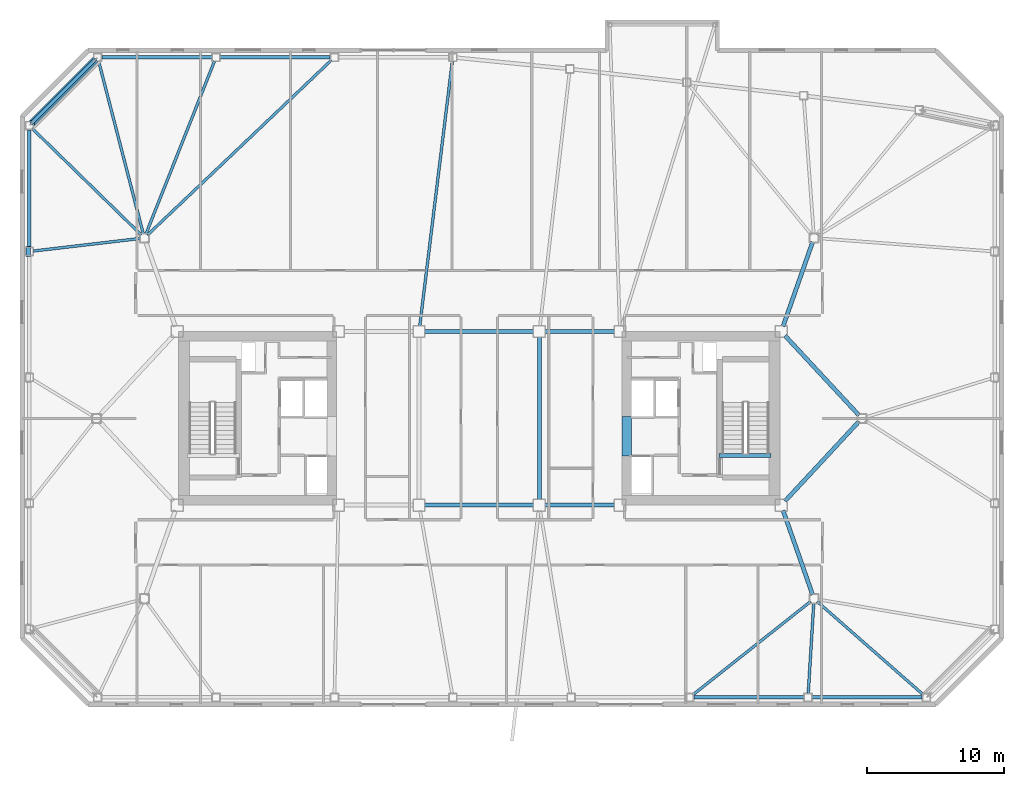
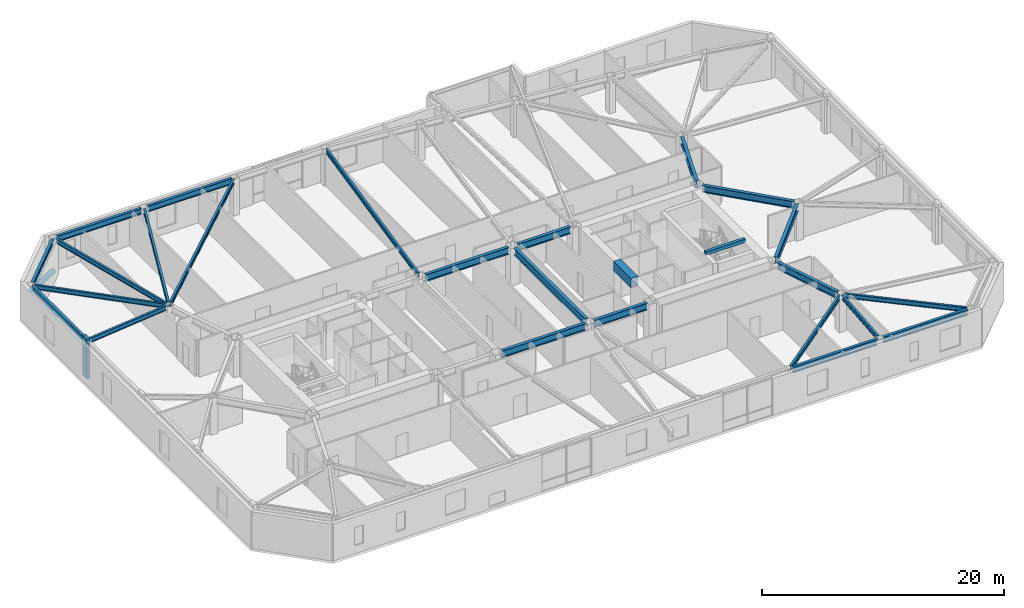
# One storey, part 7 of 18: 26 beams, 2 members.
"""IFC4 building model written with IfcOpenShell, lengths in metres."""

import ifcopenshell
import ifcopenshell.guid

model = None  # the IFC model being written
_history = None  # IfcOwnerHistory: only IFC2X3 demands one
_inside = {}  # id of a spatial element -> (the spatial element, [elements in it])
_under = {}  # id of a project, library or spatial element -> (it, [spatial elements below it])
_declared = {}  # id of a project -> (the project, [libraries it declares])
_typed = {}  # id of a type object -> (the type object, [elements of that type])
_made_of = {}  # id of a material, layer set ... -> (it, [elements and type objects made of it])


def new_model(schema):
    """Start an empty IFC model of exactly this schema.

    Asked for "IFC4X3", IfcOpenShell would pick the latest addendum, in which some entities
    have other attributes; the version numbers below select the first issue.
    IFC2X3 requires an IfcOwnerHistory on every rooted entity: one is made here for all.
    """
    global model, _history
    if schema == "IFC4X3":
        model = ifcopenshell.file(schema_version=(4, 3, 0, 0))
    else:
        model = ifcopenshell.file(schema=schema)
    _inside.clear()
    _under.clear()
    _declared.clear()
    _typed.clear()
    _made_of.clear()
    _history = None
    if model.schema == "IFC2X3":
        org = make("IfcOrganization", Name="unknown")
        user = make(
            "IfcPersonAndOrganization",
            ThePerson=make("IfcPerson", FamilyName="unknown"),
            TheOrganization=org,
        )
        app = make(
            "IfcApplication",
            ApplicationDeveloper=org,
            Version="unknown",
            ApplicationFullName="unknown",
            ApplicationIdentifier="unknown",
        )
        _history = make(
            "IfcOwnerHistory",
            OwningUser=user,
            OwningApplication=app,
            ChangeAction="ADDED",
            CreationDate=0,
        )
    return model


def make(cls, **values):
    """One entity of the class cls with the attributes given. An attribute that is None is left unset."""
    return model.create_entity(
        cls, **{name: value for name, value in values.items() if value is not None}
    )


def rooted(cls, **values):
    """An entity with a GlobalId (a new one), such as an element, a storey or a relation."""
    return make(cls, GlobalId=ifcopenshell.guid.new(), OwnerHistory=_history, **values)


def si_unit(unit_type, name, prefix=None):
    """IfcSIUnit, for example si_unit("LENGTHUNIT", "METRE", prefix="MILLI")."""
    return make("IfcSIUnit", UnitType=unit_type, Prefix=prefix, Name=name)


def assignment(units):
    """IfcUnitAssignment: the units of a project."""
    return None if units is None else make("IfcUnitAssignment", Units=units)


def point(xyz):
    """IfcCartesianPoint."""
    return None if xyz is None else make("IfcCartesianPoint", Coordinates=xyz)


def direction(xyz):
    """IfcDirection."""
    return None if xyz is None else make("IfcDirection", DirectionRatios=xyz)


def frame(location, z_axis=None, x_axis=None):
    """IfcAxis2Placement3D, a coordinate frame: its origin and axes. An axis left out is left unset."""
    return make(
        "IfcAxis2Placement3D",
        Location=point(location),
        Axis=direction(z_axis),
        RefDirection=direction(x_axis),
    )


def frame_2d(location, x_axis=None):
    """IfcAxis2Placement2D, a coordinate frame in the plane: its origin and x axis."""
    return make(
        "IfcAxis2Placement2D", Location=point(location), RefDirection=direction(x_axis)
    )


def origin():
    """The frame at (0, 0, 0) with its axes left unset."""
    return frame((0.0, 0.0, 0.0))


def origin_2d():
    """The frame at (0, 0) in the plane with its x axis left unset."""
    return frame_2d((0.0, 0.0))


def place(relative_to, where):
    """IfcLocalPlacement: puts the frame where relative to a parent placement (None: the world)."""
    return make(
        "IfcLocalPlacement", PlacementRelTo=relative_to, RelativePlacement=where
    )


def context(
    kind, dimensions, precision=None, world=None, true_north=None, identifier=None
):
    """IfcGeometricRepresentationContext, for example the 3D "Model" context."""
    return make(
        "IfcGeometricRepresentationContext",
        ContextIdentifier=identifier,
        ContextType=kind,
        CoordinateSpaceDimension=dimensions,
        Precision=precision,
        WorldCoordinateSystem=world,
        TrueNorth=true_north,
    )


def subcontext(parent, identifier, kind, view, scale=None):
    """IfcGeometricRepresentationSubContext, for example "Body" below "Model"."""
    return make(
        "IfcGeometricRepresentationSubContext",
        ContextIdentifier=identifier,
        ContextType=kind,
        ParentContext=parent,
        TargetScale=scale,
        TargetView=view,
    )


def project(units=None, contexts=None):
    """IfcProject with its units and contexts."""
    return rooted(
        "IfcProject",
        Name="project",
        RepresentationContexts=contexts,
        UnitsInContext=assignment(units),
    )


def spatial(cls, under=None, at=None, **own):
    """A site, building, storey or space (cls), placed at a placement, below another one or the project."""
    s = rooted(cls, ObjectPlacement=at, **own)
    if under is not None:
        _under.setdefault(under.id(), (under, []))[1].append(s)
    return s


def profile(cls, at=None, kind="AREA", **sizes):
    """A parametric profile (cls). Its sizes go by their IFC names, for example OverallWidth=200.0."""
    return make(cls, ProfileType=kind, Position=at, **sizes)


def rectangle(**sizes):
    """IfcRectangleProfileDef."""
    return profile("IfcRectangleProfileDef", **sizes)


def hollow_circle(**sizes):
    """IfcCircleHollowProfileDef."""
    return profile("IfcCircleHollowProfileDef", **sizes)


def i_section(**sizes):
    """IfcIShapeProfileDef."""
    return profile("IfcIShapeProfileDef", **sizes)


def extrude(swept, where, along, depth):
    """IfcExtrudedAreaSolid: the profile swept, set in the frame where, extruded along a direction by depth."""
    return make(
        "IfcExtrudedAreaSolid",
        SweptArea=swept,
        Position=where,
        ExtrudedDirection=direction(along),
        Depth=depth,
    )


def shape(context_of_items, identifier, shape_type, items):
    """IfcShapeRepresentation: the items that make up one representation, for example the "Body"."""
    return make(
        "IfcShapeRepresentation",
        ContextOfItems=context_of_items,
        RepresentationIdentifier=identifier,
        RepresentationType=shape_type,
        Items=items,
    )


def material(Name=None, Category=None):
    """IfcMaterial."""
    return make("IfcMaterial", Name=Name, Category=Category)


def material_profile(
    of_material, cross_section, Name=None, Category=None, Priority=None
):
    """IfcMaterialProfile: a cross section and its material."""
    return make(
        "IfcMaterialProfile",
        Name=Name,
        Material=of_material,
        Profile=cross_section,
        Priority=Priority,
        Category=Category,
    )


def profile_set(profiles, Name=None, composite=None):
    """IfcMaterialProfileSet."""
    return make(
        "IfcMaterialProfileSet",
        Name=Name,
        MaterialProfiles=profiles,
        CompositeProfile=composite,
    )


def made_of(thing, what):
    """Note that an element or type object is made of a material, layer set ...; save() writes the relation."""
    if what is not None:
        _made_of.setdefault(what.id(), (what, []))[1].append(thing)
    return thing


def type_object(cls, material=None, **own):
    """A type object (cls), such as IfcWallType, which elements share."""
    return made_of(rooted(cls, **own), material)


def element(
    cls,
    number,
    at=None,
    inside=None,
    cuts=None,
    type_object=None,
    material=None,
    context=None,
    identifier="Body",
    shape_type=None,
    held_by="IfcProductDefinitionShape",
    body=None,
    shapes=None,
    **own,
):
    """One element of the class cls, such as IfcWall. Its Tag is "e" and its number.

    at: its placement. inside: the storey or other place that contains it. cuts: it is an
    opening in that element (IfcRelVoidsElement). A single representation is given by context,
    identifier, shape_type and body (its items); several are given by shapes. held_by: the class
    of the entity that holds the representations. save() writes the other relations.
    """
    e = rooted(cls, Tag="e%d" % number, ObjectPlacement=at, **own)
    if body is not None:
        shapes = [shape(context, identifier, shape_type, body)]
    if shapes is not None:
        e.Representation = make(held_by, Representations=shapes)
    if inside is not None:
        _inside.setdefault(inside.id(), (inside, []))[1].append(e)
    if cuts is not None:
        rooted(
            "IfcRelVoidsElement", RelatingBuildingElement=cuts, RelatedOpeningElement=e
        )
    if type_object is not None:
        _typed.setdefault(type_object.id(), (type_object, []))[1].append(e)
    return made_of(e, material)


def aggregate(whole, parts):
    """IfcRelAggregates: a whole, such as a stair, and the parts it consists of."""
    return rooted("IfcRelAggregates", RelatingObject=whole, RelatedObjects=parts)


def save(model, path):
    """Write the relations noted so far, then the file.

    IfcRelAggregates (storeys below a building ...), IfcRelContainedInSpatialStructure (elements
    in a storey), IfcRelDefinesByType, IfcRelAssociatesMaterial and IfcRelDeclares: one each for
    every whole, place, type object, material and project.
    """
    for whole, parts in _under.values():
        aggregate(whole, parts)
    for where, things in _inside.values():
        rooted(
            "IfcRelContainedInSpatialStructure",
            RelatedElements=things,
            RelatingStructure=where,
        )
    for kind, things in _typed.values():
        rooted("IfcRelDefinesByType", RelatedObjects=things, RelatingType=kind)
    for what, things in _made_of.values():
        rooted("IfcRelAssociatesMaterial", RelatedObjects=things, RelatingMaterial=what)
    for by, libraries in _declared.values():
        rooted("IfcRelDeclares", RelatingContext=by, RelatedDefinitions=libraries)
    model.write(path)


model = new_model("IFC4")

# Units and contexts
model_context = context("Model", 3, precision=1e-05, world=origin(), true_north=direction((0.0, 1.0)))
body_context = subcontext(model_context, "Body", "Model", "MODEL_VIEW")
ifc_project = project(units=[si_unit("LENGTHUNIT", "METRE"), si_unit("AREAUNIT", "SQUARE_METRE"), si_unit("VOLUMEUNIT", "CUBIC_METRE"), si_unit("PLANEANGLEUNIT", "RADIAN"), si_unit("MASSUNIT", "GRAM", prefix="KILO")], contexts=[model_context])

# Site, building, storey
site_placement = place(None, origin())
site = spatial("IfcSite", under=ifc_project, at=site_placement, CompositionType="ELEMENT")
building_placement = place(site_placement, origin())
building = spatial("IfcBuilding", under=site, at=building_placement, Name="Tavrogorsk Clinical Tower", CompositionType="ELEMENT")
storey_placement = place(building_placement, frame((0.0, 0.0, 184.199951171875)))
storey = spatial("IfcBuildingStorey", under=building, at=storey_placement, Name="L42", CompositionType="ELEMENT", Elevation=184.199951171875)

# Beam
ifc_material_1 = material(Name="Concrete B80", Category="concrete")
ifc_material_profile_1 = material_profile(ifc_material_1, rectangle(XDim=0.699951171875, YDim=0.949951171875, at=origin_2d()), Name="RC-CB-700x950")
ifc_profile_set_1 = profile_set([ifc_material_profile_1], Name="Concrete B80")
beam_type_1 = type_object("IfcBeamType", Name="CouplingBeam_RC700x950", PredefinedType="LINTEL", material=ifc_profile_set_1)
beam_1_placement = place(storey_placement, frame((10.800048828125, -2.75, 3.26513671875), z_axis=(0.0, 1.0, 0.0), x_axis=(-1.0, 0.0, 0.0)))
element("IfcBeam", 1, at=beam_1_placement, inside=storey, type_object=beam_type_1, Name="L42 Core East Coupling Beam", PredefinedType="LINTEL", context=body_context, shape_type="SweptSolid", body=[
    extrude(rectangle(XDim=0.699951171875, YDim=0.949951171875, at=origin_2d()), origin(), (0.0, 0.0, 1.0), 2.89990234375),
])

# Member
ifc_material_2 = material(Name="Structural steel S440", Category="steel")
ifc_material_profile_2 = material_profile(ifc_material_2, hollow_circle(Radius=0.25390625, WallThickness=0.02001953125, at=origin_2d()), Name="CHS-508x20")
ifc_profile_set_2 = profile_set([ifc_material_profile_2], Name="Structural steel S440")
member_type_1 = type_object("IfcMemberType", Name="ExoBrace_CHS508", PredefinedType="BRACE", material=ifc_profile_set_2)
member_1_placement = place(storey_placement, frame((-28.12255859375, 26.217529296875, 0.4130859375), z_axis=(-0.657758524103, -0.657758524103, 0.367025132572), x_axis=(0.707106781187, -0.707106781187, 0.0)))
element("IfcMember", 2, at=member_1_placement, inside=storey, type_object=member_type_1, Name="L42 Corner Exoskeleton Brace N8-W1", PredefinedType="BRACE", context=body_context, shape_type="SweptSolid", body=[
    extrude(hollow_circle(Radius=0.25390625, WallThickness=0.02001953125, at=origin_2d()), origin(), (0.0, 0.0, 1.0), 6.98583984375),
])

# Beams
ifc_material_3 = material(Name="Structural steel S355", Category="steel")
ifc_material_profile_3 = material_profile(ifc_material_3, i_section(OverallWidth=0.199951171875, OverallDepth=0.449951171875, WebThickness=0.011474609375, FlangeThickness=0.01806640625, at=origin_2d()), Name="B-450x200x11.5x18")
ifc_profile_set_3 = profile_set([ifc_material_profile_3], Name="Structural steel S355")
beam_type_2 = type_object("IfcBeamType", Name="FloorBeam_B450", PredefinedType="BEAM", material=ifc_profile_set_3)
beam_2_placement = place(storey_placement, frame((24.257080078125, -13.392578125, 3.51513671875), z_axis=(-0.783561002819, -0.621314859682, 0.0), x_axis=(0.621314859682, -0.783561002819, 0.0)))
element("IfcBeam", 3, at=beam_2_placement, inside=storey, type_object=beam_type_2, Name="L42 Radial Floor Beam S6", PredefinedType="BEAM", context=body_context, shape_type="SweptSolid", body=[
    extrude(i_section(OverallWidth=0.199951171875, OverallDepth=0.449951171875, WebThickness=0.011474609375, FlangeThickness=0.01806640625, at=origin_2d()), origin(), (0.0, 0.0, 1.0), 11.002685546875),
])
beam_3_placement = place(storey_placement, frame((24.48095703125, -13.509521484375, 3.51513671875), z_axis=(-0.061224865528, -0.998123998229, 0.0), x_axis=(0.998123998229, -0.061224865528, 0.0)))
element("IfcBeam", 4, at=beam_3_placement, inside=storey, type_object=beam_type_2, Name="L42 Radial Floor Beam S7", PredefinedType="BEAM", context=body_context, shape_type="SweptSolid", body=[
    extrude(i_section(OverallWidth=0.199951171875, OverallDepth=0.449951171875, WebThickness=0.011474609375, FlangeThickness=0.01806640625, at=origin_2d()), origin(), (0.0, 0.0, 1.0), 6.615478515625),
])
beam_4_placement = place(storey_placement, frame((24.73291015625, -13.404541015625, 3.51513671875), z_axis=(0.751322664981, -0.659935037019, 0.0), x_axis=(0.659935037019, 0.751322664981, 0.0)))
element("IfcBeam", 5, at=beam_4_placement, inside=storey, type_object=beam_type_2, Name="L42 Radial Floor Beam S8", PredefinedType="BEAM", context=body_context, shape_type="SweptSolid", body=[
    extrude(i_section(OverallWidth=0.199951171875, OverallDepth=0.449951171875, WebThickness=0.011474609375, FlangeThickness=0.01806640625, at=origin_2d()), origin(), (0.0, 0.0, 1.0), 10.322509765625),
])
beam_5_placement = place(storey_placement, frame((-4.349853515625, 6.7568359375, 3.51513671875), z_axis=(0.122074764034, 0.992520907581, 0.0), x_axis=(-0.992520907581, 0.122074764034, 0.0)))
element("IfcBeam", 6, at=beam_5_placement, inside=storey, type_object=beam_type_2, Name="L42 Radial Floor Beam N5", PredefinedType="BEAM", context=body_context, shape_type="SweptSolid", body=[
    extrude(i_section(OverallWidth=0.199951171875, OverallDepth=0.449951171875, WebThickness=0.011474609375, FlangeThickness=0.01806640625, at=origin_2d()), origin(), (0.0, 0.0, 1.0), 19.503173828125),
])
beam_6_placement = place(storey_placement, frame((-24.275390625, 13.41357421875, 3.51513671875), z_axis=(0.724748919983, 0.689013064451, 0.0), x_axis=(-0.689013064451, 0.724748919983, 0.0)))
element("IfcBeam", 7, at=beam_6_placement, inside=storey, type_object=beam_type_2, Name="L42 Radial Floor Beam N6", PredefinedType="BEAM", context=body_context, shape_type="SweptSolid", body=[
    extrude(i_section(OverallWidth=0.199951171875, OverallDepth=0.449951171875, WebThickness=0.011474609375, FlangeThickness=0.01806640625, at=origin_2d()), origin(), (0.0, 0.0, 1.0), 18.56884765625),
])
beam_7_placement = place(storey_placement, frame((-24.3857421875, 13.48828125, 3.51513671875), z_axis=(0.368659944508, 0.929564330918, 0.0), x_axis=(-0.929564330918, 0.368659944508, 0.0)))
element("IfcBeam", 8, at=beam_7_placement, inside=storey, type_object=beam_type_2, Name="L42 Radial Floor Beam N7", PredefinedType="BEAM", context=body_context, shape_type="SweptSolid", body=[
    extrude(i_section(OverallWidth=0.199951171875, OverallDepth=0.449951171875, WebThickness=0.011474609375, FlangeThickness=0.01806640625, at=origin_2d()), origin(), (0.0, 0.0, 1.0), 13.603759765625),
])
beam_8_placement = place(storey_placement, frame((-24.57763671875, 13.5, 3.51513671875), z_axis=(-0.250445465048, 0.968130708653, 0.0), x_axis=(-0.968130708653, -0.250445465048, 0.0)))
element("IfcBeam", 9, at=beam_8_placement, inside=storey, type_object=beam_type_2, Name="L42 Radial Floor Beam N8", PredefinedType="BEAM", context=body_context, shape_type="SweptSolid", body=[
    extrude(i_section(OverallWidth=0.199951171875, OverallDepth=0.449951171875, WebThickness=0.011474609375, FlangeThickness=0.01806640625, at=origin_2d()), origin(), (0.0, 0.0, 1.0), 13.037353515625),
])
beam_9_placement = place(storey_placement, frame((-24.721923828125, 13.41650390625, 3.51513671875), z_axis=(-0.715552053538, 0.698559416712, 0.0), x_axis=(-0.698559416712, -0.715552053538, 0.0)))
element("IfcBeam", 10, at=beam_9_placement, inside=storey, type_object=beam_type_2, Name="L42 Radial Floor Beam W1", PredefinedType="BEAM", context=body_context, shape_type="SweptSolid", body=[
    extrude(i_section(OverallWidth=0.199951171875, OverallDepth=0.449951171875, WebThickness=0.011474609375, FlangeThickness=0.01806640625, at=origin_2d()), origin(), (0.0, 0.0, 1.0), 11.149169921875),
])
beam_10_placement = place(storey_placement, frame((-24.807861328125, 13.163818359375, 3.51513671875), z_axis=(-0.993156539687, -0.116790785927, 0.0), x_axis=(0.116790785927, -0.993156539687, 0.0)))
element("IfcBeam", 11, at=beam_10_placement, inside=storey, type_object=beam_type_2, Name="L42 Radial Floor Beam W2", PredefinedType="BEAM", context=body_context, shape_type="SweptSolid", body=[
    extrude(i_section(OverallWidth=0.199951171875, OverallDepth=0.449951171875, WebThickness=0.011474609375, FlangeThickness=0.01806640625, at=origin_2d()), origin(), (0.0, 0.0, 1.0), 7.85986328125),
])

# Member
ifc_material_4 = material(Name="Precast concrete B45 with limestone cladding", Category="masonry")
ifc_material_profile_4 = material_profile(ifc_material_4, rectangle(XDim=0.320068359375, YDim=0.719970703125, at=origin_2d()), Name="LIMESTONE-FIN-320x720")
ifc_profile_set_4 = profile_set([ifc_material_profile_4], Name="Precast concrete B45 with limestone cladding")
member_type_2 = type_object("IfcMemberType", Name="LimestonePleatFin_320x720", PredefinedType="USERDEFINED", material=ifc_profile_set_4)
member_2_placement = place(storey_placement, frame((-33.0, 12.2099609375, 0.0), z_axis=(0.0, 0.0, 1.0), x_axis=(1.0, 0.0, 0.0)))
element("IfcMember", 12, at=member_2_placement, inside=storey, type_object=member_type_2, Name="L42 W Pleated Stone Fin 1", ObjectType="FIN", PredefinedType="USERDEFINED", context=body_context, shape_type="SweptSolid", body=[
    extrude(rectangle(XDim=0.320068359375, YDim=0.719970703125, at=origin_2d()), origin(), (0.0, 0.0, 1.0), 4.0),
])

# Beams
ifc_material_5 = material(Name="Structural steel S390", Category="steel")
ifc_material_profile_5 = material_profile(ifc_material_5, i_section(OverallWidth=0.300048828125, OverallDepth=0.699951171875, WebThickness=0.01708984375, FlangeThickness=0.028076171875, at=origin_2d()), Name="B-700x300x17x28")
ifc_profile_set_5 = profile_set([ifc_material_profile_5], Name="Structural steel S390")
beam_type_3 = type_object("IfcBeamType", Name="PrimaryGirder_B700", PredefinedType="USERDEFINED", material=ifc_profile_set_5)
for number, where, z_axis, x_axis, name in (
    (13, (-3.989990234375, -6.35009765625, 3.39013671875), (1.0, 0.0, 0.0), (0.0, 1.0, 0.0), "L42 Primary Spine Girder MG-03"),
    (14, (-3.989990234375, 6.35009765625, 3.39013671875), (1.0, 0.0, 0.0), (0.0, 1.0, 0.0), "L42 Primary Spine Girder MG-04"),
):
    element("IfcBeam", number, at=place(storey_placement, frame(where, z_axis=z_axis, x_axis=x_axis)), inside=storey, type_object=beam_type_3, Name=name, ObjectType="GIRDER", PredefinedType="USERDEFINED", context=body_context, shape_type="SweptSolid", body=[
        extrude(i_section(OverallWidth=0.300048828125, OverallDepth=0.699951171875, WebThickness=0.01708984375, FlangeThickness=0.028076171875, at=origin_2d()), origin(), (0.0, 0.0, 1.0), 7.97998046875),
    ])
for number, where, z_axis, x_axis, name in (
    (15, (4.81005859375, -6.35009765625, 3.39013671875), (1.0, 0.0, 0.0), (0.0, 1.0, 0.0), "L42 Primary Spine Girder MG-05"),
    (16, (4.81005859375, 6.35009765625, 3.39013671875), (1.0, 0.0, 0.0), (0.0, 1.0, 0.0), "L42 Primary Spine Girder MG-06"),
):
    element("IfcBeam", number, at=place(storey_placement, frame(where, z_axis=z_axis, x_axis=x_axis)), inside=storey, type_object=beam_type_3, Name=name, ObjectType="GIRDER", PredefinedType="USERDEFINED", context=body_context, shape_type="SweptSolid", body=[
        extrude(i_section(OverallWidth=0.300048828125, OverallDepth=0.699951171875, WebThickness=0.01708984375, FlangeThickness=0.028076171875, at=origin_2d()), origin(), (0.0, 0.0, 1.0), 5.079833984375),
    ])
beam_11_placement = place(storey_placement, frame((4.39990234375, -5.93994140625, 3.39013671875), z_axis=(0.0, 1.0, 0.0), x_axis=(-1.0, 0.0, 0.0)))
element("IfcBeam", 17, at=beam_11_placement, inside=storey, type_object=beam_type_3, Name="L42 Primary Spine Girder MG-08", ObjectType="GIRDER", PredefinedType="USERDEFINED", context=body_context, shape_type="SweptSolid", body=[
    extrude(i_section(OverallWidth=0.300048828125, OverallDepth=0.699951171875, WebThickness=0.01708984375, FlangeThickness=0.028076171875, at=origin_2d()), origin(), (0.0, 0.0, 1.0), 11.8798828125),
])
for number, where, z_axis, x_axis, name in (
    (18, (24.3974609375, -12.907470703125, 3.39013671875), (-0.33065312634, 0.94375235631, 0.0), (-0.94375235631, -0.33065312634, 0.0), "L42 Spine Link Girder OPG-2"),
    (19, (24.3974609375, 12.907470703125, 3.39013671875), (-0.33065312634, -0.94375235631, 0.0), (0.94375235631, -0.33065312634, 0.0), "L42 Spine Link Girder OPG-4"),
):
    element("IfcBeam", number, at=place(storey_placement, frame(where, z_axis=z_axis, x_axis=x_axis)), inside=storey, type_object=beam_type_3, Name=name, ObjectType="GIRDER", PredefinedType="USERDEFINED", context=body_context, shape_type="SweptSolid", body=[
        extrude(i_section(OverallWidth=0.300048828125, OverallDepth=0.699951171875, WebThickness=0.01708984375, FlangeThickness=0.028076171875, at=origin_2d()), origin(), (0.0, 0.0, 1.0), 6.5380859375),
    ])
for number, where, z_axis, x_axis, name in (
    (20, (27.7890625, -0.22705078125, 3.39013671875), (-0.680673750312, -0.732586681312, 0.0), (0.732586681312, -0.680673750312, 0.0), "L42 Spine Link Girder OPG-7"),
    (21, (27.7890625, 0.22705078125, 3.39013671875), (-0.680673750312, 0.732586681312, 0.0), (-0.732586681312, -0.680673750312, 0.0), "L42 Spine Link Girder OPG-8"),
):
    element("IfcBeam", number, at=place(storey_placement, frame(where, z_axis=z_axis, x_axis=x_axis)), inside=storey, type_object=beam_type_3, Name=name, ObjectType="GIRDER", PredefinedType="USERDEFINED", context=body_context, shape_type="SweptSolid", body=[
        extrude(i_section(OverallWidth=0.300048828125, OverallDepth=0.699951171875, WebThickness=0.01708984375, FlangeThickness=0.028076171875, at=origin_2d()), origin(), (0.0, 0.0, 1.0), 7.947998046875),
    ])
ifc_material_6 = material(Name="Structural steel S390", Category="steel")
ifc_material_profile_6 = material_profile(ifc_material_6, i_section(OverallWidth=0.260009765625, OverallDepth=0.60009765625, WebThickness=0.014892578125, FlangeThickness=0.02392578125, at=origin_2d()), Name="B-600x260x15x24")
ifc_profile_set_6 = profile_set([ifc_material_profile_6], Name="Structural steel S390")
beam_type_4 = type_object("IfcBeamType", Name="SpandrelBeam_B600", PredefinedType="SPANDREL", material=ifc_profile_set_6)
beam_12_placement = place(storey_placement, frame((15.702392578125, -20.419921875, 3.43994140625), z_axis=(1.0, 0.0, 0.0), x_axis=(0.0, 1.0, 0.0)))
element("IfcBeam", 22, at=beam_12_placement, inside=storey, type_object=beam_type_4, Name="L42 Perimeter Spandrel S6-S7", PredefinedType="SPANDREL", context=body_context, shape_type="SweptSolid", body=[
    extrude(i_section(OverallWidth=0.260009765625, OverallDepth=0.60009765625, WebThickness=0.014892578125, FlangeThickness=0.02392578125, at=origin_2d()), origin(), (0.0, 0.0, 1.0), 8.046630859375),
])
beam_13_placement = place(storey_placement, frame((24.364990234375, -20.419921875, 3.43994140625), z_axis=(1.0, 0.0, 0.0), x_axis=(0.0, 1.0, 0.0)))
element("IfcBeam", 23, at=beam_13_placement, inside=storey, type_object=beam_type_4, Name="L42 Perimeter Spandrel S7-S8", PredefinedType="SPANDREL", context=body_context, shape_type="SweptSolid", body=[
    extrude(i_section(OverallWidth=0.260009765625, OverallDepth=0.60009765625, WebThickness=0.014892578125, FlangeThickness=0.02392578125, at=origin_2d()), origin(), (0.0, 0.0, 1.0), 8.047119140625),
])
for number, where, z_axis, x_axis, name in (
    (24, (-10.90234375, 26.419921875, 3.43994140625), (-1.0, 0.0, 0.0), (0.0, -1.0, 0.0), "L42 Perimeter Spandrel N6-N7"),
    (25, (-19.565185546875, 26.419921875, 3.43994140625), (-1.0, 0.0, 0.0), (0.0, -1.0, 0.0), "L42 Perimeter Spandrel N7-N8"),
):
    element("IfcBeam", number, at=place(storey_placement, frame(where, z_axis=z_axis, x_axis=x_axis)), inside=storey, type_object=beam_type_4, Name=name, PredefinedType="SPANDREL", context=body_context, shape_type="SweptSolid", body=[
        extrude(i_section(OverallWidth=0.260009765625, OverallDepth=0.60009765625, WebThickness=0.014892578125, FlangeThickness=0.02392578125, at=origin_2d()), origin(), (0.0, 0.0, 1.0), 8.046875),
    ])
beam_14_placement = place(storey_placement, frame((-28.1376953125, 26.2021484375, 3.43994140625), z_axis=(-0.707106781187, -0.707106781187, 0.0), x_axis=(0.707106781187, -0.707106781187, 0.0)))
element("IfcBeam", 26, at=beam_14_placement, inside=storey, type_object=beam_type_4, Name="L42 Perimeter Spandrel N8-W1", PredefinedType="SPANDREL", context=body_context, shape_type="SweptSolid", body=[
    extrude(i_section(OverallWidth=0.260009765625, OverallDepth=0.60009765625, WebThickness=0.014892578125, FlangeThickness=0.02392578125, at=origin_2d()), origin(), (0.0, 0.0, 1.0), 6.455078125),
])
beam_15_placement = place(storey_placement, frame((-32.919921875, 21.112060546875, 3.43994140625), z_axis=(0.0, -1.0, 0.0), x_axis=(1.0, 0.0, 0.0)))
element("IfcBeam", 27, at=beam_15_placement, inside=storey, type_object=beam_type_4, Name="L42 Perimeter Spandrel W1-W2", PredefinedType="SPANDREL", context=body_context, shape_type="SweptSolid", body=[
    extrude(i_section(OverallWidth=0.260009765625, OverallDepth=0.60009765625, WebThickness=0.014892578125, FlangeThickness=0.02392578125, at=origin_2d()), origin(), (0.0, 0.0, 1.0), 8.593994140625),
])
ifc_material_7 = material(Name="Concrete B60", Category="concrete")
ifc_material_profile_7 = material_profile(ifc_material_7, rectangle(XDim=0.300048828125, YDim=0.35009765625, at=origin_2d()), Name="RC-SHB-300x350")
ifc_profile_set_7 = profile_set([ifc_material_profile_7], Name="Concrete B60")
beam_type_5 = type_object("IfcBeamType", Name="StairHeaderBeam_RC300x350", PredefinedType="BEAM", material=ifc_profile_set_7)
beam_16_placement = place(storey_placement, frame((17.550048828125, -2.719970703125, 3.824951171875), z_axis=(1.0, 0.0, 0.0), x_axis=(0.0, 1.0, 0.0)))
element("IfcBeam", 28, at=beam_16_placement, inside=storey, type_object=beam_type_5, Name="L43 ST-E Landing Header Beam", PredefinedType="BEAM", context=body_context, shape_type="SweptSolid", body=[
    extrude(rectangle(XDim=0.300048828125, YDim=0.35009765625, at=origin_2d()), origin(), (0.0, 0.0, 1.0), 3.800048828125),
])

save(model, "model.ifc")
